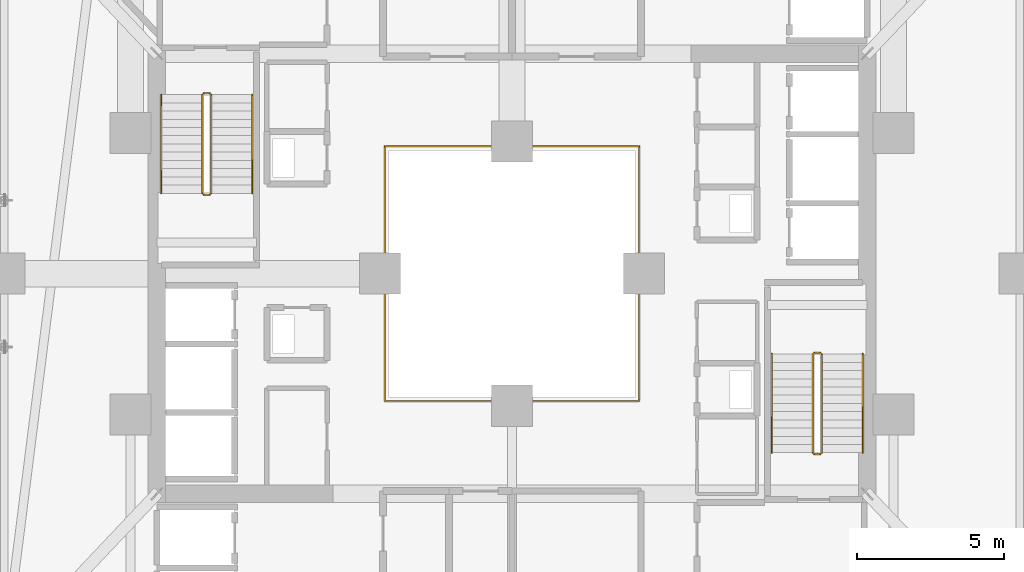
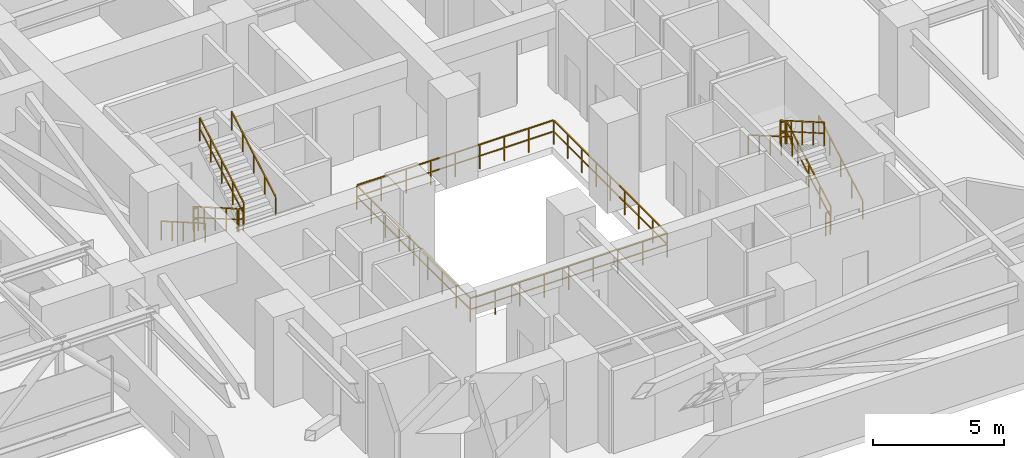
# One storey, part 38 of 38: 13 railings.
"""IFC4 building model written with IfcOpenShell, lengths in metres."""

from ifc_helpers import new_model, si_unit, direction, frame, origin, origin_2d, place, context, subcontext, project, spatial, rectangle, extrude, material, type_object, element, save


model = new_model("IFC4")

# Units and contexts
model_context = context("Model", 3, precision=1e-05, world=origin(), true_north=direction((0.0, 1.0)))
body_context = subcontext(model_context, "Body", "Model", "MODEL_VIEW")
ifc_project = project(units=[si_unit("LENGTHUNIT", "METRE"), si_unit("AREAUNIT", "SQUARE_METRE"), si_unit("VOLUMEUNIT", "CUBIC_METRE"), si_unit("PLANEANGLEUNIT", "RADIAN"), si_unit("MASSUNIT", "GRAM", prefix="KILO")], contexts=[model_context])

# Site, building, storey
site_placement = place(None, origin())
site = spatial("IfcSite", under=ifc_project, at=site_placement, CompositionType="ELEMENT")
building_placement = place(site_placement, origin())
building = spatial("IfcBuilding", under=site, at=building_placement, Name="Thornwick Lancets Civic Towers", CompositionType="ELEMENT")
storey_placement = place(building_placement, frame((0.0, 0.0, 71.699951171875)))
storey = spatial("IfcBuildingStorey", under=building, at=storey_placement, Name="L18", CompositionType="ELEMENT", Elevation=71.699951171875)

# Railings
ifc_material_1 = material(Name="Laminated glass and bronze steel S355", Category="steel")
railing_type_1 = type_object("IfcRailingType", Name="RAIL_ATRIUM_GUARD", PredefinedType="BALUSTRADE", material=ifc_material_1)
railing_1_placement = place(storey_placement, frame((84.159912109375, 22.659912109375, 0.0)))
element("IfcRailing", 1, at=railing_1_placement, inside=storey, type_object=railing_type_1, Name="L18 Tower B Central Atrium Guard Balustrade", PredefinedType="BALUSTRADE", context=body_context, shape_type="SweptSolid", body=[
    extrude(rectangle(XDim=0.048095703125, YDim=0.048095703125, at=origin_2d()), frame((0.0, 0.0, 1.1259765625), z_axis=(1.0, 0.0, 0.0), x_axis=(0.0, 1.0, 0.0)), (0.0, 0.0, 1.0), 8.64892578125),
    extrude(rectangle(XDim=0.0419921875, YDim=0.0419921875, at=origin_2d()), frame((0.03759765625, 0.0, 0.597900390625), z_axis=(1.0, 0.0, 0.0), x_axis=(0.0, 1.0, 0.0)), (0.0, 0.0, 1.0), 1.010009765625),
    extrude(rectangle(XDim=0.0419921875, YDim=0.0419921875, at=origin_2d()), frame((1.12255859375, 0.0, 0.597900390625), z_axis=(1.0, 0.0, 0.0), x_axis=(0.0, 1.0, 0.0)), (0.0, 0.0, 1.0), 1.010009765625),
    extrude(rectangle(XDim=0.0419921875, YDim=0.0419921875, at=origin_2d()), frame((2.20751953125, 0.0, 0.597900390625), z_axis=(1.0, 0.0, 0.0), x_axis=(0.0, 1.0, 0.0)), (0.0, 0.0, 1.0), 1.010009765625),
    extrude(rectangle(XDim=0.0419921875, YDim=0.0419921875, at=origin_2d()), frame((3.29248046875, 0.0, 0.597900390625), z_axis=(1.0, 0.0, 0.0), x_axis=(0.0, 1.0, 0.0)), (0.0, 0.0, 1.0), 1.010009765625),
    extrude(rectangle(XDim=0.0419921875, YDim=0.0419921875, at=origin_2d()), frame((4.377685546875, 0.0, 0.597900390625), z_axis=(1.0, 0.0, 0.0), x_axis=(0.0, 1.0, 0.0)), (0.0, 0.0, 1.0), 1.010009765625),
    extrude(rectangle(XDim=0.0419921875, YDim=0.0419921875, at=origin_2d()), frame((5.462646484375, 0.0, 0.597900390625), z_axis=(1.0, 0.0, 0.0), x_axis=(0.0, 1.0, 0.0)), (0.0, 0.0, 1.0), 1.010009765625),
    extrude(rectangle(XDim=0.0419921875, YDim=0.0419921875, at=origin_2d()), frame((6.547607421875, 0.0, 0.597900390625), z_axis=(1.0, 0.0, 0.0), x_axis=(0.0, 1.0, 0.0)), (0.0, 0.0, 1.0), 1.010009765625),
    extrude(rectangle(XDim=0.0419921875, YDim=0.0419921875, at=origin_2d()), frame((7.632568359375, 0.0, 0.597900390625), z_axis=(1.0, 0.0, 0.0), x_axis=(0.0, 1.0, 0.0)), (0.0, 0.0, 1.0), 1.010009765625),
    extrude(rectangle(XDim=0.048095703125, YDim=0.048095703125, at=origin_2d()), frame((8.68017578125, 0.03125, 1.1259765625), z_axis=(0.0, 1.0, 0.0), x_axis=(-1.0, 0.0, 0.0)), (0.0, 0.0, 1.0), 8.61767578125),
    extrude(rectangle(XDim=0.0419921875, YDim=0.0419921875, at=origin_2d()), frame((8.68017578125, 0.03759765625, 0.597900390625), z_axis=(0.0, 1.0, 0.0), x_axis=(-1.0, 0.0, 0.0)), (0.0, 0.0, 1.0), 1.010009765625),
    extrude(rectangle(XDim=0.0419921875, YDim=0.0419921875, at=origin_2d()), frame((8.68017578125, 1.12255859375, 0.597900390625), z_axis=(0.0, 1.0, 0.0), x_axis=(-1.0, 0.0, 0.0)), (0.0, 0.0, 1.0), 1.010009765625),
    extrude(rectangle(XDim=0.0419921875, YDim=0.0419921875, at=origin_2d()), frame((8.68017578125, 2.20751953125, 0.597900390625), z_axis=(0.0, 1.0, 0.0), x_axis=(-1.0, 0.0, 0.0)), (0.0, 0.0, 1.0), 1.010009765625),
    extrude(rectangle(XDim=0.0419921875, YDim=0.0419921875, at=origin_2d()), frame((8.68017578125, 3.29248046875, 0.597900390625), z_axis=(0.0, 1.0, 0.0), x_axis=(-1.0, 0.0, 0.0)), (0.0, 0.0, 1.0), 1.010009765625),
    extrude(rectangle(XDim=0.0419921875, YDim=0.0419921875, at=origin_2d()), frame((8.68017578125, 4.377685546875, 0.597900390625), z_axis=(0.0, 1.0, 0.0), x_axis=(-1.0, 0.0, 0.0)), (0.0, 0.0, 1.0), 1.010009765625),
    extrude(rectangle(XDim=0.0419921875, YDim=0.0419921875, at=origin_2d()), frame((8.68017578125, 5.462646484375, 0.597900390625), z_axis=(0.0, 1.0, 0.0), x_axis=(-1.0, 0.0, 0.0)), (0.0, 0.0, 1.0), 1.010009765625),
    extrude(rectangle(XDim=0.0419921875, YDim=0.0419921875, at=origin_2d()), frame((8.68017578125, 6.547607421875, 0.597900390625), z_axis=(0.0, 1.0, 0.0), x_axis=(-1.0, 0.0, 0.0)), (0.0, 0.0, 1.0), 1.010009765625),
    extrude(rectangle(XDim=0.0419921875, YDim=0.0419921875, at=origin_2d()), frame((8.68017578125, 7.632568359375, 0.597900390625), z_axis=(0.0, 1.0, 0.0), x_axis=(-1.0, 0.0, 0.0)), (0.0, 0.0, 1.0), 1.010009765625),
    extrude(rectangle(XDim=0.048095703125, YDim=0.048095703125, at=origin_2d()), frame((8.64892578125, 8.68017578125, 1.1259765625), z_axis=(-1.0, 0.0, 0.0), x_axis=(0.0, -1.0, 0.0)), (0.0, 0.0, 1.0), 8.61767578125),
    extrude(rectangle(XDim=0.0419921875, YDim=0.0419921875, at=origin_2d()), frame((8.642578125, 8.68017578125, 0.597900390625), z_axis=(-1.0, 0.0, 0.0), x_axis=(0.0, -1.0, 0.0)), (0.0, 0.0, 1.0), 1.010009765625),
    extrude(rectangle(XDim=0.0419921875, YDim=0.0419921875, at=origin_2d()), frame((7.5576171875, 8.68017578125, 0.597900390625), z_axis=(-1.0, 0.0, 0.0), x_axis=(0.0, -1.0, 0.0)), (0.0, 0.0, 1.0), 1.010009765625),
    extrude(rectangle(XDim=0.0419921875, YDim=0.0419921875, at=origin_2d()), frame((6.47265625, 8.68017578125, 0.597900390625), z_axis=(-1.0, 0.0, 0.0), x_axis=(0.0, -1.0, 0.0)), (0.0, 0.0, 1.0), 1.010009765625),
    extrude(rectangle(XDim=0.0419921875, YDim=0.0419921875, at=origin_2d()), frame((5.3876953125, 8.68017578125, 0.597900390625), z_axis=(-1.0, 0.0, 0.0), x_axis=(0.0, -1.0, 0.0)), (0.0, 0.0, 1.0), 1.010009765625),
    extrude(rectangle(XDim=0.0419921875, YDim=0.0419921875, at=origin_2d()), frame((4.302490234375, 8.68017578125, 0.597900390625), z_axis=(-1.0, 0.0, 0.0), x_axis=(0.0, -1.0, 0.0)), (0.0, 0.0, 1.0), 1.010009765625),
    extrude(rectangle(XDim=0.0419921875, YDim=0.0419921875, at=origin_2d()), frame((3.217529296875, 8.68017578125, 0.597900390625), z_axis=(-1.0, 0.0, 0.0), x_axis=(0.0, -1.0, 0.0)), (0.0, 0.0, 1.0), 1.010009765625),
    extrude(rectangle(XDim=0.0419921875, YDim=0.0419921875, at=origin_2d()), frame((2.132568359375, 8.68017578125, 0.597900390625), z_axis=(-1.0, 0.0, 0.0), x_axis=(0.0, -1.0, 0.0)), (0.0, 0.0, 1.0), 1.010009765625),
    extrude(rectangle(XDim=0.0419921875, YDim=0.0419921875, at=origin_2d()), frame((1.047607421875, 8.68017578125, 0.597900390625), z_axis=(-1.0, 0.0, 0.0), x_axis=(0.0, -1.0, 0.0)), (0.0, 0.0, 1.0), 1.010009765625),
    extrude(rectangle(XDim=0.048095703125, YDim=0.048095703125, at=origin_2d()), frame((0.0, 8.64892578125, 1.1259765625), z_axis=(0.0, -1.0, 0.0), x_axis=(1.0, 0.0, 0.0)), (0.0, 0.0, 1.0), 8.64892578125),
    extrude(rectangle(XDim=0.0419921875, YDim=0.0419921875, at=origin_2d()), frame((0.0, 8.642578125, 0.597900390625), z_axis=(0.0, -1.0, 0.0), x_axis=(1.0, 0.0, 0.0)), (0.0, 0.0, 1.0), 1.010009765625),
    extrude(rectangle(XDim=0.0419921875, YDim=0.0419921875, at=origin_2d()), frame((0.0, 7.5576171875, 0.597900390625), z_axis=(0.0, -1.0, 0.0), x_axis=(1.0, 0.0, 0.0)), (0.0, 0.0, 1.0), 1.010009765625),
    extrude(rectangle(XDim=0.0419921875, YDim=0.0419921875, at=origin_2d()), frame((0.0, 6.47265625, 0.597900390625), z_axis=(0.0, -1.0, 0.0), x_axis=(1.0, 0.0, 0.0)), (0.0, 0.0, 1.0), 1.010009765625),
    extrude(rectangle(XDim=0.0419921875, YDim=0.0419921875, at=origin_2d()), frame((0.0, 5.3876953125, 0.597900390625), z_axis=(0.0, -1.0, 0.0), x_axis=(1.0, 0.0, 0.0)), (0.0, 0.0, 1.0), 1.010009765625),
    extrude(rectangle(XDim=0.0419921875, YDim=0.0419921875, at=origin_2d()), frame((0.0, 4.302490234375, 0.597900390625), z_axis=(0.0, -1.0, 0.0), x_axis=(1.0, 0.0, 0.0)), (0.0, 0.0, 1.0), 1.010009765625),
    extrude(rectangle(XDim=0.0419921875, YDim=0.0419921875, at=origin_2d()), frame((0.0, 3.217529296875, 0.597900390625), z_axis=(0.0, -1.0, 0.0), x_axis=(1.0, 0.0, 0.0)), (0.0, 0.0, 1.0), 1.010009765625),
    extrude(rectangle(XDim=0.0419921875, YDim=0.0419921875, at=origin_2d()), frame((0.0, 2.132568359375, 0.597900390625), z_axis=(0.0, -1.0, 0.0), x_axis=(1.0, 0.0, 0.0)), (0.0, 0.0, 1.0), 1.010009765625),
    extrude(rectangle(XDim=0.0419921875, YDim=0.0419921875, at=origin_2d()), frame((0.0, 1.047607421875, 0.597900390625), z_axis=(0.0, -1.0, 0.0), x_axis=(1.0, 0.0, 0.0)), (0.0, 0.0, 1.0), 1.010009765625),
    extrude(rectangle(XDim=0.0419921875, YDim=0.0419921875, at=origin_2d()), origin(), (0.0, 0.0, 1.0), 1.095703125),
    extrude(rectangle(XDim=0.0419921875, YDim=0.0419921875, at=origin_2d()), frame((1.0849609375, 0.0, 0.0)), (0.0, 0.0, 1.0), 1.095703125),
    extrude(rectangle(XDim=0.0419921875, YDim=0.0419921875, at=origin_2d()), frame((2.169921875, 0.0, 0.0)), (0.0, 0.0, 1.0), 1.095703125),
    extrude(rectangle(XDim=0.0419921875, YDim=0.0419921875, at=origin_2d()), frame((3.255126953125, 0.0, 0.0)), (0.0, 0.0, 1.0), 1.095703125),
    extrude(rectangle(XDim=0.0419921875, YDim=0.0419921875, at=origin_2d()), frame((4.340087890625, 0.0, 0.0)), (0.0, 0.0, 1.0), 1.095703125),
    extrude(rectangle(XDim=0.0419921875, YDim=0.0419921875, at=origin_2d()), frame((5.425048828125, 0.0, 0.0)), (0.0, 0.0, 1.0), 1.095703125),
    extrude(rectangle(XDim=0.0419921875, YDim=0.0419921875, at=origin_2d()), frame((6.51025390625, 0.0, 0.0)), (0.0, 0.0, 1.0), 1.095703125),
    extrude(rectangle(XDim=0.0419921875, YDim=0.0419921875, at=origin_2d()), frame((7.59521484375, 0.0, 0.0)), (0.0, 0.0, 1.0), 1.095703125),
    extrude(rectangle(XDim=0.0419921875, YDim=0.0419921875, at=origin_2d()), frame((8.68017578125, 0.0, 0.0)), (0.0, 0.0, 1.0), 1.095703125),
    extrude(rectangle(XDim=0.0419921875, YDim=0.0419921875, at=origin_2d()), frame((8.68017578125, 1.0849609375, 0.0)), (0.0, 0.0, 1.0), 1.095703125),
    extrude(rectangle(XDim=0.0419921875, YDim=0.0419921875, at=origin_2d()), frame((8.68017578125, 2.169921875, 0.0)), (0.0, 0.0, 1.0), 1.095703125),
    extrude(rectangle(XDim=0.0419921875, YDim=0.0419921875, at=origin_2d()), frame((8.68017578125, 3.255126953125, 0.0)), (0.0, 0.0, 1.0), 1.095703125),
    extrude(rectangle(XDim=0.0419921875, YDim=0.0419921875, at=origin_2d()), frame((8.68017578125, 4.340087890625, 0.0)), (0.0, 0.0, 1.0), 1.095703125),
    extrude(rectangle(XDim=0.0419921875, YDim=0.0419921875, at=origin_2d()), frame((8.68017578125, 5.425048828125, 0.0)), (0.0, 0.0, 1.0), 1.095703125),
    extrude(rectangle(XDim=0.0419921875, YDim=0.0419921875, at=origin_2d()), frame((8.68017578125, 6.51025390625, 0.0)), (0.0, 0.0, 1.0), 1.095703125),
    extrude(rectangle(XDim=0.0419921875, YDim=0.0419921875, at=origin_2d()), frame((8.68017578125, 7.59521484375, 0.0)), (0.0, 0.0, 1.0), 1.095703125),
    extrude(rectangle(XDim=0.0419921875, YDim=0.0419921875, at=origin_2d()), frame((8.68017578125, 8.68017578125, 0.0)), (0.0, 0.0, 1.0), 1.095703125),
    extrude(rectangle(XDim=0.0419921875, YDim=0.0419921875, at=origin_2d()), frame((7.59521484375, 8.68017578125, 0.0)), (0.0, 0.0, 1.0), 1.095703125),
    extrude(rectangle(XDim=0.0419921875, YDim=0.0419921875, at=origin_2d()), frame((6.51025390625, 8.68017578125, 0.0)), (0.0, 0.0, 1.0), 1.095703125),
    extrude(rectangle(XDim=0.0419921875, YDim=0.0419921875, at=origin_2d()), frame((5.425048828125, 8.68017578125, 0.0)), (0.0, 0.0, 1.0), 1.095703125),
    extrude(rectangle(XDim=0.0419921875, YDim=0.0419921875, at=origin_2d()), frame((4.340087890625, 8.68017578125, 0.0)), (0.0, 0.0, 1.0), 1.095703125),
    extrude(rectangle(XDim=0.0419921875, YDim=0.0419921875, at=origin_2d()), frame((3.255126953125, 8.68017578125, 0.0)), (0.0, 0.0, 1.0), 1.095703125),
    extrude(rectangle(XDim=0.0419921875, YDim=0.0419921875, at=origin_2d()), frame((2.169921875, 8.68017578125, 0.0)), (0.0, 0.0, 1.0), 1.095703125),
    extrude(rectangle(XDim=0.0419921875, YDim=0.0419921875, at=origin_2d()), frame((1.0849609375, 8.68017578125, 0.0)), (0.0, 0.0, 1.0), 1.095703125),
    extrude(rectangle(XDim=0.0419921875, YDim=0.0419921875, at=origin_2d()), frame((0.0, 8.68017578125, 0.0)), (0.0, 0.0, 1.0), 1.095703125),
    extrude(rectangle(XDim=0.0419921875, YDim=0.0419921875, at=origin_2d()), frame((0.0, 7.59521484375, 0.0)), (0.0, 0.0, 1.0), 1.095703125),
    extrude(rectangle(XDim=0.0419921875, YDim=0.0419921875, at=origin_2d()), frame((0.0, 6.51025390625, 0.0)), (0.0, 0.0, 1.0), 1.095703125),
    extrude(rectangle(XDim=0.0419921875, YDim=0.0419921875, at=origin_2d()), frame((0.0, 5.425048828125, 0.0)), (0.0, 0.0, 1.0), 1.095703125),
    extrude(rectangle(XDim=0.0419921875, YDim=0.0419921875, at=origin_2d()), frame((0.0, 4.340087890625, 0.0)), (0.0, 0.0, 1.0), 1.095703125),
    extrude(rectangle(XDim=0.0419921875, YDim=0.0419921875, at=origin_2d()), frame((0.0, 3.255126953125, 0.0)), (0.0, 0.0, 1.0), 1.095703125),
    extrude(rectangle(XDim=0.0419921875, YDim=0.0419921875, at=origin_2d()), frame((0.0, 2.169921875, 0.0)), (0.0, 0.0, 1.0), 1.095703125),
    extrude(rectangle(XDim=0.0419921875, YDim=0.0419921875, at=origin_2d()), frame((0.0, 1.0849609375, 0.0)), (0.0, 0.0, 1.0), 1.095703125),
])
ifc_material_2 = material(Name="Brushed stainless steel S355", Category="steel")
railing_type_2 = type_object("IfcRailingType", Name="RAIL_HANDRAIL", PredefinedType="HANDRAIL", material=ifc_material_2)
railing_2_placement = place(storey_placement, frame((100.449951171875, 20.89990234375, 0.16162109375)))
element("IfcRailing", 2, at=railing_2_placement, inside=storey, type_object=railing_type_2, Name="L18 ST-B1 stair handrail 1", PredefinedType="HANDRAIL", context=body_context, shape_type="SweptSolid", body=[
    extrude(rectangle(XDim=0.048095703125, YDim=0.048095703125, at=origin_2d()), frame((0.0, 0.0, 0.8857421875), z_axis=(0.0, 0.866190824863, 0.499713372768), x_axis=(-1.0, 0.0, 0.0)), (0.0, 0.0, 1.0), 3.879150390625),
    extrude(rectangle(XDim=0.0419921875, YDim=0.0419921875, at=origin_2d()), origin(), (0.0, 0.0, 1.0), 0.855712890625),
    extrude(rectangle(XDim=0.0419921875, YDim=0.0419921875, at=origin_2d()), frame((0.0, 0.840087890625, 0.484619140625)), (0.0, 0.0, 1.0), 0.855712890625),
    extrude(rectangle(XDim=0.0419921875, YDim=0.0419921875, at=origin_2d()), frame((0.0, 1.68017578125, 0.96923828125)), (0.0, 0.0, 1.0), 0.855712890625),
    extrude(rectangle(XDim=0.0419921875, YDim=0.0419921875, at=origin_2d()), frame((0.0, 2.52001953125, 1.453857421875)), (0.0, 0.0, 1.0), 0.855712890625),
    extrude(rectangle(XDim=0.0419921875, YDim=0.0419921875, at=origin_2d()), frame((0.0, 3.360107421875, 1.9384765625)), (0.0, 0.0, 1.0), 0.855712890625),
])
for number, where, name in (
    (3, (97.35009765625, 24.260009765625, 2.261474609375), "L18 ST-B1 stair handrail 2"),
    (4, (76.550048828125, 33.10009765625, 0.16162109375), "L18 ST-B2 stair handrail 1"),
):
    element("IfcRailing", number, at=place(storey_placement, frame(where)), inside=storey, type_object=railing_type_2, Name=name, PredefinedType="HANDRAIL", context=body_context, shape_type="SweptSolid", body=[
        extrude(rectangle(XDim=0.048095703125, YDim=0.048095703125, at=origin_2d()), frame((0.0, 0.0, 0.8857421875), z_axis=(0.0, -0.866190824863, 0.499713372768), x_axis=(1.0, 0.0, 0.0)), (0.0, 0.0, 1.0), 3.879150390625),
        extrude(rectangle(XDim=0.0419921875, YDim=0.0419921875, at=origin_2d()), origin(), (0.0, 0.0, 1.0), 0.855712890625),
        extrude(rectangle(XDim=0.0419921875, YDim=0.0419921875, at=origin_2d()), frame((0.0, -0.840087890625, 0.484619140625)), (0.0, 0.0, 1.0), 0.855712890625),
        extrude(rectangle(XDim=0.0419921875, YDim=0.0419921875, at=origin_2d()), frame((0.0, -1.68017578125, 0.96923828125)), (0.0, 0.0, 1.0), 0.855712890625),
        extrude(rectangle(XDim=0.0419921875, YDim=0.0419921875, at=origin_2d()), frame((0.0, -2.52001953125, 1.453857421875)), (0.0, 0.0, 1.0), 0.855712890625),
        extrude(rectangle(XDim=0.0419921875, YDim=0.0419921875, at=origin_2d()), frame((0.0, -3.360107421875, 1.9384765625)), (0.0, 0.0, 1.0), 0.855712890625),
    ])
railing_3_placement = place(storey_placement, frame((79.64990234375, 29.739990234375, 2.261474609375)))
element("IfcRailing", 5, at=railing_3_placement, inside=storey, type_object=railing_type_2, Name="L18 ST-B2 stair handrail 2", PredefinedType="HANDRAIL", context=body_context, shape_type="SweptSolid", body=[
    extrude(rectangle(XDim=0.048095703125, YDim=0.048095703125, at=origin_2d()), frame((0.0, 0.0, 0.8857421875), z_axis=(0.0, 0.866190824863, 0.499713372768), x_axis=(-1.0, 0.0, 0.0)), (0.0, 0.0, 1.0), 3.879150390625),
    extrude(rectangle(XDim=0.0419921875, YDim=0.0419921875, at=origin_2d()), origin(), (0.0, 0.0, 1.0), 0.855712890625),
    extrude(rectangle(XDim=0.0419921875, YDim=0.0419921875, at=origin_2d()), frame((0.0, 0.840087890625, 0.484619140625)), (0.0, 0.0, 1.0), 0.855712890625),
    extrude(rectangle(XDim=0.0419921875, YDim=0.0419921875, at=origin_2d()), frame((0.0, 1.68017578125, 0.96923828125)), (0.0, 0.0, 1.0), 0.855712890625),
    extrude(rectangle(XDim=0.0419921875, YDim=0.0419921875, at=origin_2d()), frame((0.0, 2.52001953125, 1.453857421875)), (0.0, 0.0, 1.0), 0.855712890625),
    extrude(rectangle(XDim=0.0419921875, YDim=0.0419921875, at=origin_2d()), frame((0.0, 3.360107421875, 1.9384765625)), (0.0, 0.0, 1.0), 0.855712890625),
])
ifc_material_3 = material(Name="Steel S355JR", Category="steel")
railing_type_3 = type_object("IfcRailingType", Name="RAIL_STAIR_GUARD", PredefinedType="GUARDRAIL", material=ifc_material_3)
railing_4_placement = place(storey_placement, frame((99.050048828125, 20.89990234375, 0.16162109375)))
element("IfcRailing", 6, at=railing_4_placement, inside=storey, type_object=railing_type_3, Name="L18 ST-B1 stair guard 1", PredefinedType="GUARDRAIL", context=body_context, shape_type="SweptSolid", body=[
    extrude(rectangle(XDim=0.048095703125, YDim=0.048095703125, at=origin_2d()), frame((0.0, 0.0, 1.076171875), z_axis=(0.0, 0.866190824863, 0.499713372768), x_axis=(-1.0, 0.0, 0.0)), (0.0, 0.0, 1.0), 3.879150390625),
    extrude(rectangle(XDim=0.0419921875, YDim=0.0419921875, at=origin_2d()), frame((0.0, 0.032470703125, 0.5908203125), z_axis=(0.0, 0.866190824863, 0.499713372768), x_axis=(-1.0, 0.0, 0.0)), (0.0, 0.0, 1.0), 0.894775390625),
    extrude(rectangle(XDim=0.0419921875, YDim=0.0419921875, at=origin_2d()), frame((0.0, 0.87255859375, 1.075439453125), z_axis=(0.0, 0.866190824863, 0.499713372768), x_axis=(-1.0, 0.0, 0.0)), (0.0, 0.0, 1.0), 0.894775390625),
    extrude(rectangle(XDim=0.0419921875, YDim=0.0419921875, at=origin_2d()), frame((0.0, 1.712646484375, 1.56005859375), z_axis=(0.0, 0.866190824863, 0.499713372768), x_axis=(-1.0, 0.0, 0.0)), (0.0, 0.0, 1.0), 0.894775390625),
    extrude(rectangle(XDim=0.0419921875, YDim=0.0419921875, at=origin_2d()), frame((0.0, 2.552490234375, 2.044677734375), z_axis=(0.0, 0.866190824863, 0.499713372768), x_axis=(-1.0, 0.0, 0.0)), (0.0, 0.0, 1.0), 0.894775390625),
    extrude(rectangle(XDim=0.0419921875, YDim=0.0419921875, at=origin_2d()), origin(), (0.0, 0.0, 1.0), 1.0458984375),
    extrude(rectangle(XDim=0.0419921875, YDim=0.0419921875, at=origin_2d()), frame((0.0, 0.840087890625, 0.484619140625)), (0.0, 0.0, 1.0), 1.0458984375),
    extrude(rectangle(XDim=0.0419921875, YDim=0.0419921875, at=origin_2d()), frame((0.0, 1.68017578125, 0.96923828125)), (0.0, 0.0, 1.0), 1.0458984375),
    extrude(rectangle(XDim=0.0419921875, YDim=0.0419921875, at=origin_2d()), frame((0.0, 2.52001953125, 1.453857421875)), (0.0, 0.0, 1.0), 1.0458984375),
    extrude(rectangle(XDim=0.0419921875, YDim=0.0419921875, at=origin_2d()), frame((0.0, 3.360107421875, 1.9384765625)), (0.0, 0.0, 1.0), 1.0458984375),
])
railing_5_placement = place(storey_placement, frame((99.0, 24.31005859375, 2.10009765625)))
element("IfcRailing", 7, at=railing_5_placement, inside=storey, type_object=railing_type_3, Name="L18 ST-B1 stair guard 2", PredefinedType="GUARDRAIL", context=body_context, shape_type="SweptSolid", body=[
    extrude(rectangle(XDim=0.048095703125, YDim=0.048095703125, at=origin_2d()), frame((0.0, 0.0, 1.076171875), z_axis=(-1.0, 0.0, 0.0), x_axis=(0.0, -1.0, 0.0)), (0.0, 0.0, 1.0), 0.199951171875),
    extrude(rectangle(XDim=0.0419921875, YDim=0.0419921875, at=origin_2d()), frame((-0.03759765625, 0.0, 0.572021484375), z_axis=(-1.0, 0.0, 0.0), x_axis=(0.0, -1.0, 0.0)), (0.0, 0.0, 1.0), 0.125),
    extrude(rectangle(XDim=0.0419921875, YDim=0.0419921875, at=origin_2d()), origin(), (0.0, 0.0, 1.0), 1.0458984375),
    extrude(rectangle(XDim=0.0419921875, YDim=0.0419921875, at=origin_2d()), frame((-0.199951171875, 0.0, 0.0)), (0.0, 0.0, 1.0), 1.0458984375),
])
railing_6_placement = place(storey_placement, frame((98.75, 24.260009765625, 2.261474609375)))
element("IfcRailing", 8, at=railing_6_placement, inside=storey, type_object=railing_type_3, Name="L18 ST-B1 stair guard 3", PredefinedType="GUARDRAIL", context=body_context, shape_type="SweptSolid", body=[
    extrude(rectangle(XDim=0.048095703125, YDim=0.048095703125, at=origin_2d()), frame((0.0, 0.0, 1.076171875), z_axis=(0.0, -0.866190824863, 0.499713372768), x_axis=(1.0, 0.0, 0.0)), (0.0, 0.0, 1.0), 3.879150390625),
    extrude(rectangle(XDim=0.0419921875, YDim=0.0419921875, at=origin_2d()), frame((0.0, -0.032470703125, 0.5908203125), z_axis=(0.0, -0.866190824863, 0.499713372768), x_axis=(1.0, 0.0, 0.0)), (0.0, 0.0, 1.0), 0.894775390625),
    extrude(rectangle(XDim=0.0419921875, YDim=0.0419921875, at=origin_2d()), frame((0.0, -0.87255859375, 1.075439453125), z_axis=(0.0, -0.866190824863, 0.499713372768), x_axis=(1.0, 0.0, 0.0)), (0.0, 0.0, 1.0), 0.894775390625),
    extrude(rectangle(XDim=0.0419921875, YDim=0.0419921875, at=origin_2d()), frame((0.0, -1.712646484375, 1.56005859375), z_axis=(0.0, -0.866190824863, 0.499713372768), x_axis=(1.0, 0.0, 0.0)), (0.0, 0.0, 1.0), 0.894775390625),
    extrude(rectangle(XDim=0.0419921875, YDim=0.0419921875, at=origin_2d()), frame((0.0, -2.552490234375, 2.044677734375), z_axis=(0.0, -0.866190824863, 0.499713372768), x_axis=(1.0, 0.0, 0.0)), (0.0, 0.0, 1.0), 0.894775390625),
    extrude(rectangle(XDim=0.0419921875, YDim=0.0419921875, at=origin_2d()), origin(), (0.0, 0.0, 1.0), 1.0458984375),
    extrude(rectangle(XDim=0.0419921875, YDim=0.0419921875, at=origin_2d()), frame((0.0, -0.840087890625, 0.484619140625)), (0.0, 0.0, 1.0), 1.0458984375),
    extrude(rectangle(XDim=0.0419921875, YDim=0.0419921875, at=origin_2d()), frame((0.0, -1.68017578125, 0.96923828125)), (0.0, 0.0, 1.0), 1.0458984375),
    extrude(rectangle(XDim=0.0419921875, YDim=0.0419921875, at=origin_2d()), frame((0.0, -2.52001953125, 1.453857421875)), (0.0, 0.0, 1.0), 1.0458984375),
    extrude(rectangle(XDim=0.0419921875, YDim=0.0419921875, at=origin_2d()), frame((0.0, -3.360107421875, 1.9384765625)), (0.0, 0.0, 1.0), 1.0458984375),
])
railing_7_placement = place(storey_placement, frame((99.0, 20.85009765625, 0.0)))
element("IfcRailing", 9, at=railing_7_placement, inside=storey, type_object=railing_type_3, Name="L18 ST-B1 stair guard 4", PredefinedType="GUARDRAIL", context=body_context, shape_type="SweptSolid", body=[
    extrude(rectangle(XDim=0.048095703125, YDim=0.048095703125, at=origin_2d()), frame((0.0, 0.0, 1.076171875), z_axis=(-1.0, 0.0, 0.0), x_axis=(0.0, -1.0, 0.0)), (0.0, 0.0, 1.0), 0.199951171875),
    extrude(rectangle(XDim=0.0419921875, YDim=0.0419921875, at=origin_2d()), frame((-0.03759765625, 0.0, 0.572021484375), z_axis=(-1.0, 0.0, 0.0), x_axis=(0.0, -1.0, 0.0)), (0.0, 0.0, 1.0), 0.125),
    extrude(rectangle(XDim=0.0419921875, YDim=0.0419921875, at=origin_2d()), origin(), (0.0, 0.0, 1.0), 1.0458984375),
    extrude(rectangle(XDim=0.0419921875, YDim=0.0419921875, at=origin_2d()), frame((-0.199951171875, 0.0, 0.0)), (0.0, 0.0, 1.0), 1.0458984375),
])
railing_8_placement = place(storey_placement, frame((77.949951171875, 33.10009765625, 0.16162109375)))
element("IfcRailing", 10, at=railing_8_placement, inside=storey, type_object=railing_type_3, Name="L18 ST-B2 stair guard 1", PredefinedType="GUARDRAIL", context=body_context, shape_type="SweptSolid", body=[
    extrude(rectangle(XDim=0.048095703125, YDim=0.048095703125, at=origin_2d()), frame((0.0, 0.0, 1.076171875), z_axis=(0.0, -0.866190824863, 0.499713372768), x_axis=(1.0, 0.0, 0.0)), (0.0, 0.0, 1.0), 3.879150390625),
    extrude(rectangle(XDim=0.0419921875, YDim=0.0419921875, at=origin_2d()), frame((0.0, -0.032470703125, 0.5908203125), z_axis=(0.0, -0.866190824863, 0.499713372768), x_axis=(1.0, 0.0, 0.0)), (0.0, 0.0, 1.0), 0.894775390625),
    extrude(rectangle(XDim=0.0419921875, YDim=0.0419921875, at=origin_2d()), frame((0.0, -0.87255859375, 1.075439453125), z_axis=(0.0, -0.866190824863, 0.499713372768), x_axis=(1.0, 0.0, 0.0)), (0.0, 0.0, 1.0), 0.894775390625),
    extrude(rectangle(XDim=0.0419921875, YDim=0.0419921875, at=origin_2d()), frame((0.0, -1.712646484375, 1.56005859375), z_axis=(0.0, -0.866190824863, 0.499713372768), x_axis=(1.0, 0.0, 0.0)), (0.0, 0.0, 1.0), 0.894775390625),
    extrude(rectangle(XDim=0.0419921875, YDim=0.0419921875, at=origin_2d()), frame((0.0, -2.552490234375, 2.044677734375), z_axis=(0.0, -0.866190824863, 0.499713372768), x_axis=(1.0, 0.0, 0.0)), (0.0, 0.0, 1.0), 0.894775390625),
    extrude(rectangle(XDim=0.0419921875, YDim=0.0419921875, at=origin_2d()), origin(), (0.0, 0.0, 1.0), 1.0458984375),
    extrude(rectangle(XDim=0.0419921875, YDim=0.0419921875, at=origin_2d()), frame((0.0, -0.840087890625, 0.484619140625)), (0.0, 0.0, 1.0), 1.0458984375),
    extrude(rectangle(XDim=0.0419921875, YDim=0.0419921875, at=origin_2d()), frame((0.0, -1.68017578125, 0.96923828125)), (0.0, 0.0, 1.0), 1.0458984375),
    extrude(rectangle(XDim=0.0419921875, YDim=0.0419921875, at=origin_2d()), frame((0.0, -2.52001953125, 1.453857421875)), (0.0, 0.0, 1.0), 1.0458984375),
    extrude(rectangle(XDim=0.0419921875, YDim=0.0419921875, at=origin_2d()), frame((0.0, -3.360107421875, 1.9384765625)), (0.0, 0.0, 1.0), 1.0458984375),
])
railing_9_placement = place(storey_placement, frame((78.0, 29.68994140625, 2.10009765625)))
element("IfcRailing", 11, at=railing_9_placement, inside=storey, type_object=railing_type_3, Name="L18 ST-B2 stair guard 2", PredefinedType="GUARDRAIL", context=body_context, shape_type="SweptSolid", body=[
    extrude(rectangle(XDim=0.048095703125, YDim=0.048095703125, at=origin_2d()), frame((0.0, 0.0, 1.076171875), z_axis=(1.0, 0.0, 0.0), x_axis=(0.0, 1.0, 0.0)), (0.0, 0.0, 1.0), 0.199951171875),
    extrude(rectangle(XDim=0.0419921875, YDim=0.0419921875, at=origin_2d()), frame((0.03759765625, 0.0, 0.572021484375), z_axis=(1.0, 0.0, 0.0), x_axis=(0.0, 1.0, 0.0)), (0.0, 0.0, 1.0), 0.125),
    extrude(rectangle(XDim=0.0419921875, YDim=0.0419921875, at=origin_2d()), origin(), (0.0, 0.0, 1.0), 1.0458984375),
    extrude(rectangle(XDim=0.0419921875, YDim=0.0419921875, at=origin_2d()), frame((0.199951171875, 0.0, 0.0)), (0.0, 0.0, 1.0), 1.0458984375),
])
railing_10_placement = place(storey_placement, frame((78.25, 29.739990234375, 2.261474609375)))
element("IfcRailing", 12, at=railing_10_placement, inside=storey, type_object=railing_type_3, Name="L18 ST-B2 stair guard 3", PredefinedType="GUARDRAIL", context=body_context, shape_type="SweptSolid", body=[
    extrude(rectangle(XDim=0.048095703125, YDim=0.048095703125, at=origin_2d()), frame((0.0, 0.0, 1.076171875), z_axis=(0.0, 0.866190824863, 0.499713372768), x_axis=(-1.0, 0.0, 0.0)), (0.0, 0.0, 1.0), 3.879150390625),
    extrude(rectangle(XDim=0.0419921875, YDim=0.0419921875, at=origin_2d()), frame((0.0, 0.032470703125, 0.5908203125), z_axis=(0.0, 0.866190824863, 0.499713372768), x_axis=(-1.0, 0.0, 0.0)), (0.0, 0.0, 1.0), 0.894775390625),
    extrude(rectangle(XDim=0.0419921875, YDim=0.0419921875, at=origin_2d()), frame((0.0, 0.87255859375, 1.075439453125), z_axis=(0.0, 0.866190824863, 0.499713372768), x_axis=(-1.0, 0.0, 0.0)), (0.0, 0.0, 1.0), 0.894775390625),
    extrude(rectangle(XDim=0.0419921875, YDim=0.0419921875, at=origin_2d()), frame((0.0, 1.712646484375, 1.56005859375), z_axis=(0.0, 0.866190824863, 0.499713372768), x_axis=(-1.0, 0.0, 0.0)), (0.0, 0.0, 1.0), 0.894775390625),
    extrude(rectangle(XDim=0.0419921875, YDim=0.0419921875, at=origin_2d()), frame((0.0, 2.552490234375, 2.044677734375), z_axis=(0.0, 0.866190824863, 0.499713372768), x_axis=(-1.0, 0.0, 0.0)), (0.0, 0.0, 1.0), 0.894775390625),
    extrude(rectangle(XDim=0.0419921875, YDim=0.0419921875, at=origin_2d()), origin(), (0.0, 0.0, 1.0), 1.0458984375),
    extrude(rectangle(XDim=0.0419921875, YDim=0.0419921875, at=origin_2d()), frame((0.0, 0.840087890625, 0.484619140625)), (0.0, 0.0, 1.0), 1.0458984375),
    extrude(rectangle(XDim=0.0419921875, YDim=0.0419921875, at=origin_2d()), frame((0.0, 1.68017578125, 0.96923828125)), (0.0, 0.0, 1.0), 1.0458984375),
    extrude(rectangle(XDim=0.0419921875, YDim=0.0419921875, at=origin_2d()), frame((0.0, 2.52001953125, 1.453857421875)), (0.0, 0.0, 1.0), 1.0458984375),
    extrude(rectangle(XDim=0.0419921875, YDim=0.0419921875, at=origin_2d()), frame((0.0, 3.360107421875, 1.9384765625)), (0.0, 0.0, 1.0), 1.0458984375),
])
railing_11_placement = place(storey_placement, frame((78.0, 33.14990234375, 0.0)))
element("IfcRailing", 13, at=railing_11_placement, inside=storey, type_object=railing_type_3, Name="L18 ST-B2 stair guard 4", PredefinedType="GUARDRAIL", context=body_context, shape_type="SweptSolid", body=[
    extrude(rectangle(XDim=0.048095703125, YDim=0.048095703125, at=origin_2d()), frame((0.0, 0.0, 1.076171875), z_axis=(1.0, 0.0, 0.0), x_axis=(0.0, 1.0, 0.0)), (0.0, 0.0, 1.0), 0.199951171875),
    extrude(rectangle(XDim=0.0419921875, YDim=0.0419921875, at=origin_2d()), frame((0.03759765625, 0.0, 0.572021484375), z_axis=(1.0, 0.0, 0.0), x_axis=(0.0, 1.0, 0.0)), (0.0, 0.0, 1.0), 0.125),
    extrude(rectangle(XDim=0.0419921875, YDim=0.0419921875, at=origin_2d()), origin(), (0.0, 0.0, 1.0), 1.0458984375),
    extrude(rectangle(XDim=0.0419921875, YDim=0.0419921875, at=origin_2d()), frame((0.199951171875, 0.0, 0.0)), (0.0, 0.0, 1.0), 1.0458984375),
])

save(model, "model.ifc")
